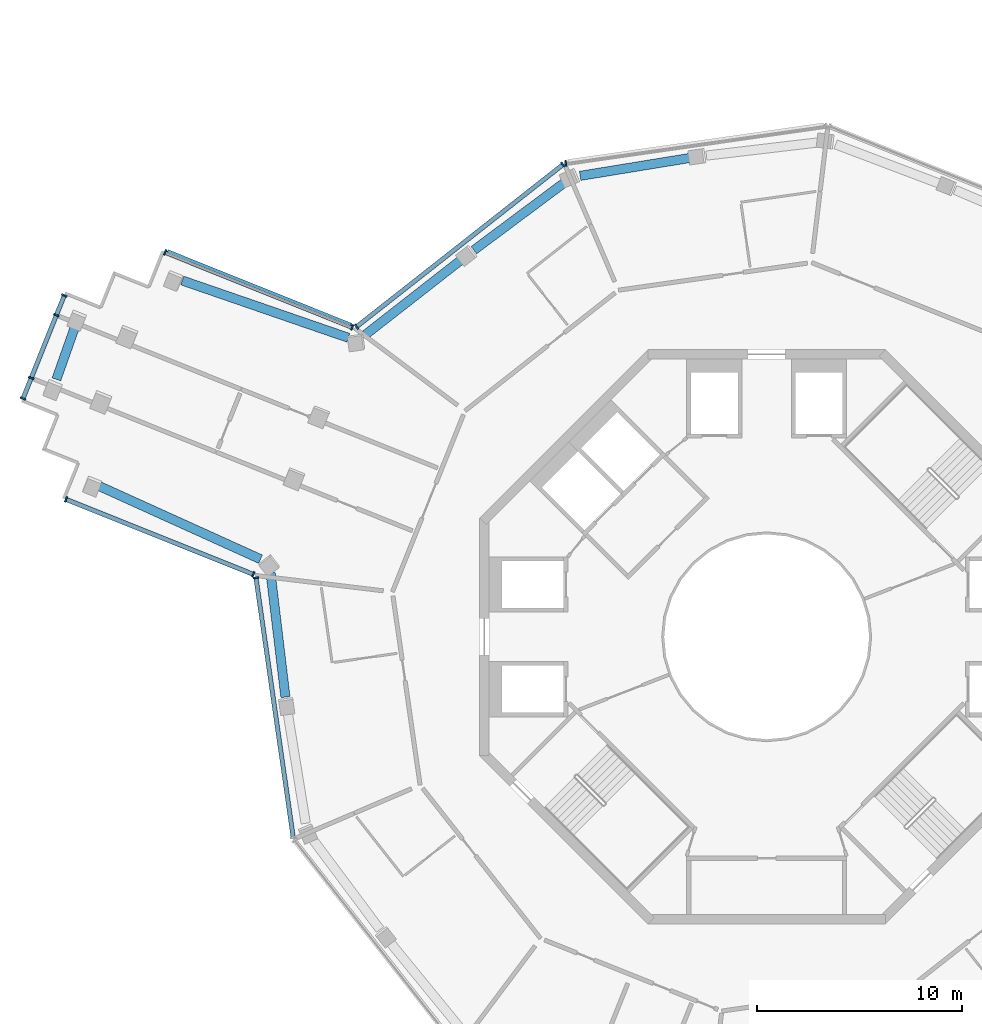
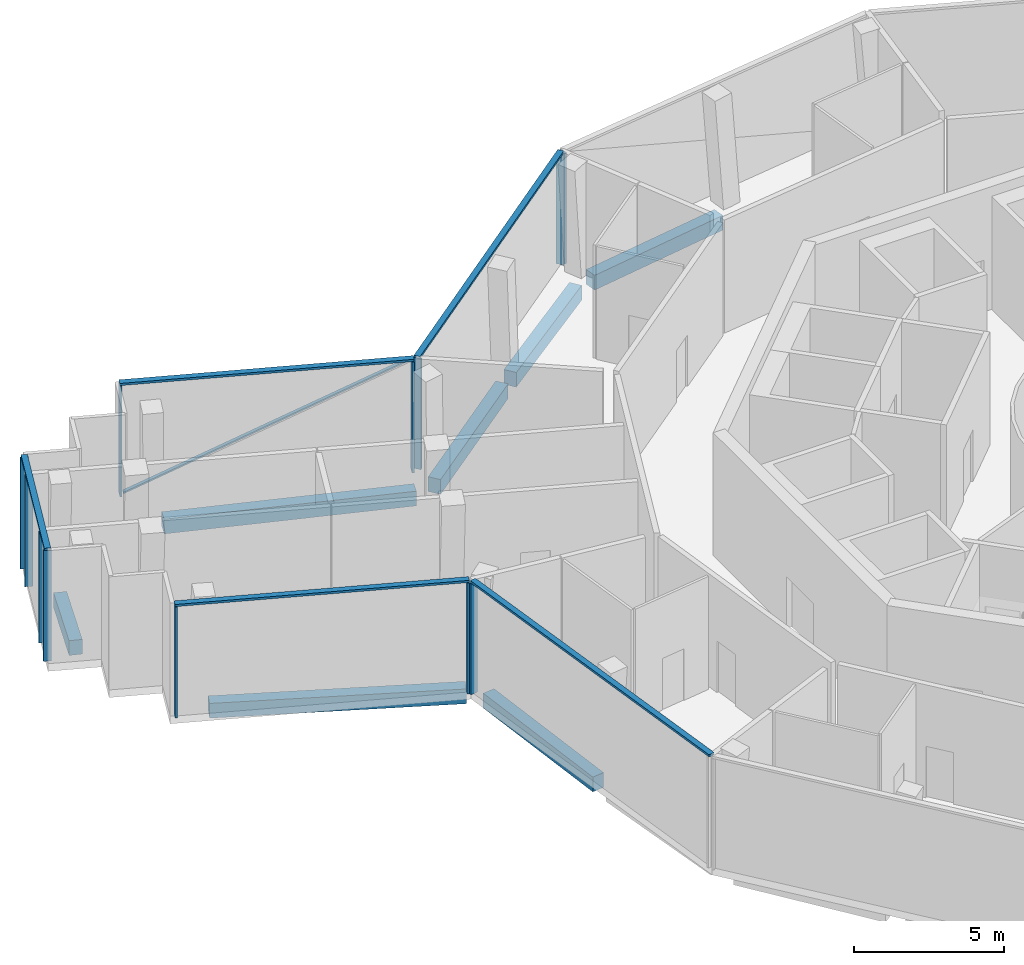
# One storey, part 4 of 19: 18 members, 7 beams, 6 elements without a shape of their own.
"""IFC4 building model written with IfcOpenShell, lengths in metres."""

from ifc_helpers import new_model, si_unit, direction, frame, origin, origin_2d, place, context, subcontext, project, spatial, rectangle, extrude, material, layer, layer_set, material_profile, profile_set, type_object, element, aggregate, save


model = new_model("IFC4")

# Units and contexts
model_context = context("Model", 3, precision=1e-05, world=origin(), true_north=direction((0.0, 1.0)))
body_context = subcontext(model_context, "Body", "Model", "MODEL_VIEW")
ifc_project = project(units=[si_unit("LENGTHUNIT", "METRE"), si_unit("AREAUNIT", "SQUARE_METRE"), si_unit("VOLUMEUNIT", "CUBIC_METRE"), si_unit("PLANEANGLEUNIT", "RADIAN"), si_unit("MASSUNIT", "GRAM", prefix="KILO")], contexts=[model_context])

# Site, building, storey
site_placement = place(None, origin())
site = spatial("IfcSite", under=ifc_project, at=site_placement, CompositionType="ELEMENT")
building_placement = place(site_placement, origin())
building = spatial("IfcBuilding", under=site, at=building_placement, Name="Verdalira Terraces Hotel", CompositionType="ELEMENT")
storey_placement = place(building_placement, frame((0.0, 0.0, 310.0)))
storey = spatial("IfcBuildingStorey", under=building, at=storey_placement, Name="L77", CompositionType="ELEMENT", Elevation=310.0)

# Curtain wall, members
ifc_material_1 = material(Name="Clear glass", Category="glass")
ifc_layer = layer(ifc_material_1, 0.280029296875)
ifc_layer_set = layer_set([ifc_layer], Name="CW6 curtain wall")
curtain_wall_type = type_object("IfcCurtainWallType", Name="CW6 curtain wall", PredefinedType="NOTDEFINED", material=ifc_layer_set)
curtain_wall_1_placement = place(storey_placement, origin())
curtain_wall_1 = element("IfcCurtainWall", 1, at=curtain_wall_1_placement, inside=storey, type_object=curtain_wall_type, Name="CW6 curtain wall L77 edge 0", PredefinedType="NOTDEFINED")
ifc_material_2 = material(Name="Terracotta frame", Category="masonry")
ifc_material_profile_1 = material_profile(ifc_material_2, rectangle(XDim=0.080078, YDim=0.280029, at=origin_2d()), Name="MU 80x280")
ifc_profile_set_1 = profile_set([ifc_material_profile_1], Name="Terracotta frame")
member_type_1 = type_object("IfcMemberType", Name="CW6 mullion 80x280", PredefinedType="MULLION", material=ifc_profile_set_1)
member_1_placement = place(storey_placement, frame((-20.209717, 15.091553, 0.0), z_axis=(0.0, 0.0, 1.0), x_axis=(-0.928226337, 0.37201595, 0.0)))
member_1 = element("IfcMember", 2, at=member_1_placement, type_object=member_type_1, Name="CW6 mullion", PredefinedType="MULLION", context=body_context, shape_type="SweptSolid", body=[
    extrude(rectangle(XDim=0.080078, YDim=0.280029, at=origin_2d()), origin(), (0.0, 0.0, 1.0), 4.51001),
])
member_2_placement = place(storey_placement, frame((-29.340332, 18.750977, 0.0), z_axis=(0.0, 0.0, 1.0), x_axis=(-0.928226337, 0.37201595, 0.0)))
member_2 = element("IfcMember", 3, at=member_2_placement, type_object=member_type_1, Name="CW6 mullion", PredefinedType="MULLION", context=body_context, shape_type="SweptSolid", body=[
    extrude(rectangle(XDim=0.080078, YDim=0.280029, at=origin_2d()), origin(), (0.0, 0.0, 1.0), 4.51001),
])

curtain_wall_2_placement = place(storey_placement, origin())
curtain_wall_2 = element("IfcCurtainWall", 4, at=curtain_wall_2_placement, inside=storey, type_object=curtain_wall_type, Name="CW6 curtain wall L77 edge 5", PredefinedType="NOTDEFINED")
member_3_placement = place(storey_placement, frame((-34.255127, 16.648438, 0.0), z_axis=(0.0, 0.0, 1.0), x_axis=(-0.37201595, -0.928226337, 0.0)))
member_3 = element("IfcMember", 5, at=member_3_placement, type_object=member_type_1, Name="CW6 mullion", PredefinedType="MULLION", context=body_context, shape_type="SweptSolid", body=[
    extrude(rectangle(XDim=0.080078, YDim=0.280029, at=origin_2d()), origin(), (0.0, 0.0, 1.0), 4.51001),
])
member_4_placement = place(storey_placement, frame((-34.641357, 15.684814, 0.0), z_axis=(0.0, 0.0, 1.0), x_axis=(-0.37201595, -0.928226337, 0.0)))
member_4 = element("IfcMember", 6, at=member_4_placement, type_object=member_type_1, Name="CW6 mullion", PredefinedType="MULLION", context=body_context, shape_type="SweptSolid", body=[
    extrude(rectangle(XDim=0.080078, YDim=0.280029, at=origin_2d()), origin(), (0.0, 0.0, 1.0), 4.51001),
])
member_5_placement = place(storey_placement, frame((-35.868164, 12.623535, 0.0), z_axis=(0.0, 0.0, 1.0), x_axis=(-0.37201595, -0.928226337, 0.0)))
member_5 = element("IfcMember", 7, at=member_5_placement, type_object=member_type_1, Name="CW6 mullion", PredefinedType="MULLION", context=body_context, shape_type="SweptSolid", body=[
    extrude(rectangle(XDim=0.080078, YDim=0.280029, at=origin_2d()), origin(), (0.0, 0.0, 1.0), 4.51001),
])
member_6_placement = place(storey_placement, frame((-36.271484, 11.617432, 0.0), z_axis=(0.0, 0.0, 1.0), x_axis=(-0.37201595, -0.928226337, 0.0)))
member_6 = element("IfcMember", 8, at=member_6_placement, type_object=member_type_1, Name="CW6 mullion", PredefinedType="MULLION", context=body_context, shape_type="SweptSolid", body=[
    extrude(rectangle(XDim=0.080078, YDim=0.280029, at=origin_2d()), origin(), (0.0, 0.0, 1.0), 4.51001),
])

curtain_wall_3_placement = place(storey_placement, origin())
curtain_wall_3 = element("IfcCurtainWall", 9, at=curtain_wall_3_placement, inside=storey, type_object=curtain_wall_type, Name="CW6 curtain wall L77 edge 10", PredefinedType="NOTDEFINED")
member_7_placement = place(storey_placement, frame((-34.168945, 6.702393, 0.0), z_axis=(0.0, 0.0, 1.0), x_axis=(0.928226337, -0.37201595, 0.0)))
member_7 = element("IfcMember", 10, at=member_7_placement, type_object=member_type_1, Name="CW6 mullion", PredefinedType="MULLION", context=body_context, shape_type="SweptSolid", body=[
    extrude(rectangle(XDim=0.080078, YDim=0.280029, at=origin_2d()), origin(), (0.0, 0.0, 1.0), 4.51001),
])
member_8_placement = place(storey_placement, frame((-25.03833, 3.043213, 0.0), z_axis=(0.0, 0.0, 1.0), x_axis=(0.928226337, -0.37201595, 0.0)))
member_8 = element("IfcMember", 11, at=member_8_placement, type_object=member_type_1, Name="CW6 mullion", PredefinedType="MULLION", context=body_context, shape_type="SweptSolid", body=[
    extrude(rectangle(XDim=0.080078, YDim=0.280029, at=origin_2d()), origin(), (0.0, 0.0, 1.0), 4.51001),
])

# Curtain wall, member
curtain_wall_4_placement = place(storey_placement, origin())
curtain_wall_4 = element("IfcCurtainWall", 12, at=curtain_wall_4_placement, inside=storey, type_object=curtain_wall_type, Name="CW6 curtain wall L77 edge 11", PredefinedType="NOTDEFINED")
member_9_placement = place(storey_placement, frame((-24.90918, 2.878662, 0.0), z_axis=(0.0, 0.0, 1.0), x_axis=(0.141937905, -0.989875563, 0.0)))
member_9 = element("IfcMember", 13, at=member_9_placement, type_object=member_type_1, Name="CW6 mullion", PredefinedType="MULLION", context=body_context, shape_type="SweptSolid", body=[
    extrude(rectangle(XDim=0.080078, YDim=0.280029, at=origin_2d()), origin(), (0.0, 0.0, 1.0), 4.51001),
])

curtain_wall_5_placement = place(storey_placement, origin())
curtain_wall_5 = element("IfcCurtainWall", 14, at=curtain_wall_5_placement, inside=storey, type_object=curtain_wall_type, Name="CW6 curtain wall L77 edge 40", PredefinedType="NOTDEFINED")
member_10_placement = place(storey_placement, frame((-9.796631, 23.091553, 0.0), z_axis=(0.0, 0.0, 1.0), x_axis=(-0.989875563, -0.141937905, 0.0)))
member_10 = element("IfcMember", 15, at=member_10_placement, type_object=member_type_1, Name="CW6 mullion", PredefinedType="MULLION", context=body_context, shape_type="SweptSolid", body=[
    extrude(rectangle(XDim=0.080078, YDim=0.280029, at=origin_2d()), origin(), (0.0, 0.0, 1.0), 4.51001),
])
aggregate(curtain_wall_5, [member_10])

# Curtain wall, members
curtain_wall_6_placement = place(storey_placement, origin())
curtain_wall_6 = element("IfcCurtainWall", 16, at=curtain_wall_6_placement, inside=storey, type_object=curtain_wall_type, Name="CW6 curtain wall L77 edge 41", PredefinedType="NOTDEFINED")
member_11_placement = place(storey_placement, frame((-9.934326, 23.032715, 0.0), z_axis=(0.0, 0.0, 1.0), x_axis=(-0.786288432, -0.617859613, 0.0)))
member_11 = element("IfcMember", 17, at=member_11_placement, type_object=member_type_1, Name="CW6 mullion", PredefinedType="MULLION", context=body_context, shape_type="SweptSolid", body=[
    extrude(rectangle(XDim=0.080078, YDim=0.280029, at=origin_2d()), origin(), (0.0, 0.0, 1.0), 4.51001),
])
member_12_placement = place(storey_placement, frame((-20.002441, 15.121094, 0.0), z_axis=(0.0, 0.0, 1.0), x_axis=(-0.786288432, -0.617859613, 0.0)))
member_12 = element("IfcMember", 18, at=member_12_placement, type_object=member_type_1, Name="CW6 mullion", PredefinedType="MULLION", context=body_context, shape_type="SweptSolid", body=[
    extrude(rectangle(XDim=0.080078, YDim=0.280029, at=origin_2d()), origin(), (0.0, 0.0, 1.0), 4.51001),
])

# Member
ifc_material_3 = material(Name="Terracotta frame", Category="masonry")
ifc_material_profile_2 = material_profile(ifc_material_3, rectangle(XDim=0.219971, YDim=0.090088, at=origin_2d()), Name="TR 90x220")
ifc_profile_set_2 = profile_set([ifc_material_profile_2], Name="Terracotta frame")
member_type_2 = type_object("IfcMemberType", Name="CW6 transom 90x220", PredefinedType="USERDEFINED", material=ifc_profile_set_2)
member_13_placement = place(storey_placement, frame((-20.172607, 15.07666, 4.554932), z_axis=(-0.928231992, 0.372001841, 0.0), x_axis=(-0.372001841, -0.928231992, 0.0)))
member_13 = element("IfcMember", 19, at=member_13_placement, type_object=member_type_2, Name="CW6 transom", ObjectType="TRANSOM", PredefinedType="USERDEFINED", context=body_context, shape_type="SweptSolid", body=[
    extrude(rectangle(XDim=0.219971, YDim=0.090088, at=origin_2d()), origin(), (0.0, 0.0, 1.0), 9.916504),
])

member_14_placement = place(storey_placement, frame((-34.240234, 16.685547, 4.554932), z_axis=(-0.372025814, -0.928222384, 0.0), x_axis=(0.928222384, -0.372025814, 0.0)))
member_14 = element("IfcMember", 20, at=member_14_placement, type_object=member_type_2, Name="CW6 transom", ObjectType="TRANSOM", PredefinedType="USERDEFINED", context=body_context, shape_type="SweptSolid", body=[
    extrude(rectangle(XDim=0.219971, YDim=0.090088, at=origin_2d()), origin(), (0.0, 0.0, 1.0), 5.5),
])

aggregate(curtain_wall_2, [member_3, member_4, member_5, member_6, member_14])

member_15_placement = place(storey_placement, frame((-34.206055, 6.717285, 4.554932), z_axis=(0.928231992, -0.372001841, 0.0), x_axis=(0.372001841, 0.928231992, 0.0)))
member_15 = element("IfcMember", 21, at=member_15_placement, type_object=member_type_2, Name="CW6 transom", ObjectType="TRANSOM", PredefinedType="USERDEFINED", context=body_context, shape_type="SweptSolid", body=[
    extrude(rectangle(XDim=0.219971, YDim=0.090088, at=origin_2d()), origin(), (0.0, 0.0, 1.0), 9.916504),
])

aggregate(curtain_wall_3, [member_7, member_8, member_15])

member_16_placement = place(storey_placement, frame((-24.914795, 2.918213, 4.554932), z_axis=(0.141938614, -0.989875462, 0.0), x_axis=(0.989875462, 0.141938614, 0.0)))
member_16 = element("IfcMember", 22, at=member_16_placement, type_object=member_type_2, Name="CW6 transom", ObjectType="TRANSOM", PredefinedType="USERDEFINED", context=body_context, shape_type="SweptSolid", body=[
    extrude(rectangle(XDim=0.219971, YDim=0.090088, at=origin_2d()), origin(), (0.0, 0.0, 1.0), 12.884766),
])

aggregate(curtain_wall_4, [member_9, member_16])

member_17_placement = place(storey_placement, frame((-9.902832, 23.057373, 4.554932), z_axis=(-0.78628875, -0.617859208, 0.0), x_axis=(0.617859208, -0.78628875, 0.0)))
member_17 = element("IfcMember", 23, at=member_17_placement, type_object=member_type_2, Name="CW6 transom", ObjectType="TRANSOM", PredefinedType="USERDEFINED", context=body_context, shape_type="SweptSolid", body=[
    extrude(rectangle(XDim=0.219971, YDim=0.090088, at=origin_2d()), origin(), (0.0, 0.0, 1.0), 12.884766),
])

aggregate(curtain_wall_6, [member_11, member_12, member_17])

ifc_material_4 = material(Name="Terracotta frame", Category="masonry")
ifc_material_profile_3 = material_profile(ifc_material_4, rectangle(XDim=0.149902, YDim=0.060059, at=origin_2d()), Name="GB 60x150")
ifc_profile_set_3 = profile_set([ifc_material_profile_3], Name="Terracotta frame")
member_type_3 = type_object("IfcMemberType", Name="Diagonal glazing bar 60x150", PredefinedType="USERDEFINED", material=ifc_profile_set_3)
member_18_placement = place(storey_placement, frame((-20.265869, 15.22168, 4.481934), z_axis=(-0.842562188, 0.337687278, -0.419590588), x_axis=(-0.372019685, -0.92822484, 0.0)))
member_18 = element("IfcMember", 24, at=member_18_placement, type_object=member_type_3, Name="Diagonal glazing bar", ObjectType="GLAZING BAR", PredefinedType="USERDEFINED", context=body_context, shape_type="SweptSolid", body=[
    extrude(rectangle(XDim=0.149902, YDim=0.060059, at=origin_2d()), origin(), (0.0, 0.0, 1.0), 10.614746),
])

aggregate(curtain_wall_1, [member_1, member_2, member_13, member_18])

# Beams
ifc_material_5 = material(Name="Concrete C40", Category="concrete")
ifc_material_profile_4 = material_profile(ifc_material_5, rectangle(XDim=0.449951, YDim=0.600098, at=origin_2d()), Name="RC 450X600")
ifc_profile_set_4 = profile_set([ifc_material_profile_4], Name="Concrete C40")
beam_type = type_object("IfcBeamType", Name="Spandrel beam RC 450X600 C40", PredefinedType="SPANDREL", material=ifc_profile_set_4)
beam_1_placement = place(storey_placement, frame((-20.401367, 14.583008, -0.610107), z_axis=(-0.945404479, 0.325899328, 0.0), x_axis=(-0.325899328, -0.945404479, 0.0)))
element("IfcBeam", 25, at=beam_1_placement, inside=storey, type_object=beam_type, Name="Spandrel beam B01", PredefinedType="SPANDREL", context=body_context, shape_type="SweptSolid", body=[
    extrude(rectangle(XDim=0.449951, YDim=0.600098, at=origin_2d()), origin(), (0.0, 0.0, 1.0), 8.56543),
])
beam_2_placement = place(storey_placement, frame((-33.694092, 15.236572, -0.610107), z_axis=(-0.332945859, -0.942945945, 0.0), x_axis=(0.942945945, -0.332945859, 0.0)))
element("IfcBeam", 26, at=beam_2_placement, inside=storey, type_object=beam_type, Name="Spandrel beam B02", PredefinedType="SPANDREL", context=body_context, shape_type="SweptSolid", body=[
    extrude(rectangle(XDim=0.449951, YDim=0.600098, at=origin_2d()), origin(), (0.0, 0.0, 1.0), 2.84375),
])
beam_3_placement = place(storey_placement, frame((-32.526123, 7.338135, -0.610107), z_axis=(0.910868905, -0.412695819, 0.0), x_axis=(0.412695819, 0.910868905, 0.0)))
element("IfcBeam", 27, at=beam_3_placement, inside=storey, type_object=beam_type, Name="Spandrel beam B03", PredefinedType="SPANDREL", context=body_context, shape_type="SweptSolid", body=[
    extrude(rectangle(XDim=0.449951, YDim=0.600098, at=origin_2d()), origin(), (0.0, 0.0, 1.0), 8.608643),
])
beam_4_placement = place(storey_placement, frame((-24.195557, 3.114258, -0.610107), z_axis=(0.11900154, -0.99289407, 0.0), x_axis=(0.99289407, 0.11900154, 0.0)))
element("IfcBeam", 28, at=beam_4_placement, inside=storey, type_object=beam_type, Name="Spandrel beam B04", PredefinedType="SPANDREL", context=body_context, shape_type="SweptSolid", body=[
    extrude(rectangle(XDim=0.449951, YDim=0.600098, at=origin_2d()), origin(), (0.0, 0.0, 1.0), 6.097168),
])
beam_5_placement = place(storey_placement, frame((-3.647217, 23.369629, -0.610107), z_axis=(-0.986954542, -0.160999171, 0.0), x_axis=(0.160999171, -0.986954542, 0.0)))
element("IfcBeam", 29, at=beam_5_placement, inside=storey, type_object=beam_type, Name="Spandrel beam B27", PredefinedType="SPANDREL", context=body_context, shape_type="SweptSolid", body=[
    extrude(rectangle(XDim=0.449951, YDim=0.600098, at=origin_2d()), origin(), (0.0, 0.0, 1.0), 5.52124),
])
beam_6_placement = place(storey_placement, frame((-9.852295, 22.158203, -0.610107), z_axis=(-0.801567159, -0.597904749, 0.0), x_axis=(0.597904749, -0.801567159, 0.0)))
element("IfcBeam", 30, at=beam_6_placement, inside=storey, type_object=beam_type, Name="Spandrel beam B28", PredefinedType="SPANDREL", context=body_context, shape_type="SweptSolid", body=[
    extrude(rectangle(XDim=0.449951, YDim=0.600098, at=origin_2d()), origin(), (0.0, 0.0, 1.0), 5.523926),
])
beam_7_placement = place(storey_placement, frame((-14.842529, 18.426025, -0.610107), z_axis=(-0.788086557, -0.615564439, 0.0), x_axis=(0.615564439, -0.788086557, 0.0)))
element("IfcBeam", 31, at=beam_7_placement, inside=storey, type_object=beam_type, Name="Spandrel beam B29", PredefinedType="SPANDREL", context=body_context, shape_type="SweptSolid", body=[
    extrude(rectangle(XDim=0.449951, YDim=0.600098, at=origin_2d()), origin(), (0.0, 0.0, 1.0), 6.011475),
])

save(model, "model.ifc")
